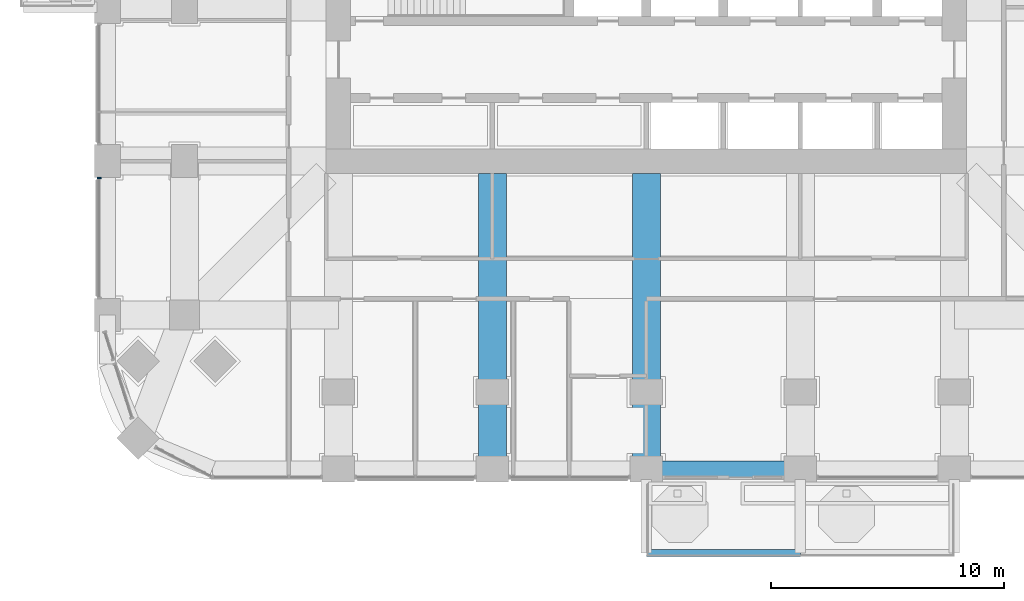
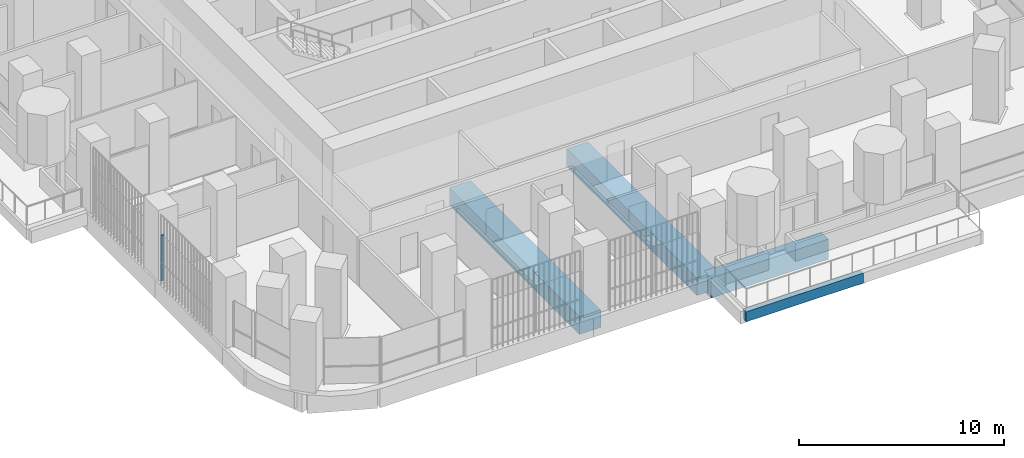
# One storey, part 3 of 22: 4 beams, 1 member, 1 element without a shape of its own.
"""IFC4 building model written with IfcOpenShell, lengths in metres."""

from ifc_helpers import new_model, si_unit, direction, frame, origin, origin_2d, place, context, subcontext, project, spatial, rectangle, extrude, material, material_profile, profile_set, type_object, element, aggregate, save


model = new_model("IFC4")

# Units and contexts
model_context = context("Model", 3, precision=1e-05, world=origin(), true_north=direction((0.0, 1.0)))
body_context = subcontext(model_context, "Body", "Model", "MODEL_VIEW")
ifc_project = project(units=[si_unit("LENGTHUNIT", "METRE"), si_unit("AREAUNIT", "SQUARE_METRE"), si_unit("VOLUMEUNIT", "CUBIC_METRE"), si_unit("PLANEANGLEUNIT", "RADIAN"), si_unit("MASSUNIT", "GRAM", prefix="KILO")], contexts=[model_context])

# Site, building, storey
site_placement = place(None, origin())
site = spatial("IfcSite", under=ifc_project, at=site_placement, CompositionType="ELEMENT")
building_placement = place(site_placement, origin())
building = spatial("IfcBuilding", under=site, at=building_placement, Name="Cobogo Forest Laboratory Tower", CompositionType="ELEMENT")
storey_placement = place(building_placement, frame((0.0, 0.0, 111.60009765625)))
storey = spatial("IfcBuildingStorey", under=building, at=storey_placement, Name="L25", CompositionType="ELEMENT", Elevation=111.60009765625)

# Beams
ifc_material_1 = material(Name="Concrete HA-40 (C40/50)", Category="concrete")
ifc_material_profile_1 = material_profile(ifc_material_1, rectangle(XDim=0.300048828125, YDim=0.60009765625, at=origin_2d()), Name="RC 300x600")
ifc_profile_set_1 = profile_set([ifc_material_profile_1], Name="Concrete HA-40 (C40/50)")
beam_type_1 = type_object("IfcBeamType", Name="Balcony edge beam 300x600", PredefinedType="BEAM", material=ifc_profile_set_1)
beam_1_placement = place(storey_placement, frame((26.39990234375, -3.60009765625, -0.550048828125), z_axis=(1.0, 0.0, 0.0), x_axis=(0.0, 1.0, 0.0)))
element("IfcBeam", 1, at=beam_1_placement, inside=storey, type_object=beam_type_1, Name="BB1 BAL-S1-T1 L25", PredefinedType="BEAM", context=body_context, shape_type="SweptSolid", body=[
    extrude(rectangle(XDim=0.300048828125, YDim=0.60009765625, at=origin_2d()), origin(), (0.0, 0.0, 1.0), 6.60009765625),
])
ifc_material_profile_2 = material_profile(ifc_material_1, rectangle(XDim=1.199951171875, YDim=1.050048828125, at=origin_2d()), Name="RC 1200x1050")
ifc_profile_set_2 = profile_set([ifc_material_profile_2], Name="Concrete HA-40 (C40/50)")
beam_type_2 = type_object("IfcBeamType", Name="Laboratory floor wide beam 1200x1050", PredefinedType="BEAM", material=ifc_profile_set_2)
for number, where, z_axis, x_axis, name in (
    (2, (19.800048828125, 12.675048828125, -0.8251953125), (0.0, -1.0, 0.0), (1.0, 0.0, 0.0), "RB1 R-4-S L25"),
    (3, (26.39990234375, 12.675048828125, -0.8251953125), (0.0, -1.0, 0.0), (1.0, 0.0, 0.0), "RB1 R-5-S L25"),
):
    element("IfcBeam", number, at=place(storey_placement, frame(where, z_axis=z_axis, x_axis=x_axis)), inside=storey, type_object=beam_type_2, Name=name, PredefinedType="BEAM", context=body_context, shape_type="SweptSolid", body=[
        extrude(rectangle(XDim=1.199951171875, YDim=1.050048828125, at=origin_2d()), origin(), (0.0, 0.0, 1.0), 12.675048828125),
    ])

# Curtain wall, member
ifc_material_2 = material(Name="Aluminium curtain wall", Category="aluminium")
curtain_wall_type = type_object("IfcCurtainWallType", Name="CW-1 unitised curtain wall, clear glazing, laboratory floors zones A and B", PredefinedType="USERDEFINED", material=ifc_material_2)
curtain_wall_placement = place(storey_placement, origin())
curtain_wall = element("IfcCurtainWall", 4, at=curtain_wall_placement, inside=storey, type_object=curtain_wall_type, Name="Curtain wall 31 L25", ObjectType="UNITISED CURTAIN WALL", PredefinedType="USERDEFINED")
ifc_material_3 = material(Name="Aluminium mullion", Category="aluminium")
ifc_material_profile_3 = material_profile(ifc_material_3, rectangle(XDim=0.06005859375, YDim=0.159912109375, at=origin_2d()), Name="AL 60x160")
ifc_profile_set_3 = profile_set([ifc_material_profile_3], Name="Aluminium mullion")
member_type = type_object("IfcMemberType", Name="MU-1 aluminium mullion 60x160", PredefinedType="MULLION", material=ifc_profile_set_3)
member_placement = place(storey_placement, frame((2.949951171875, 12.469970703125, 0.0), z_axis=(0.0, 0.0, 1.0), x_axis=(0.0, -1.0, 0.0)))
member = element("IfcMember", 5, at=member_placement, type_object=member_type, Name="CW-1 mullion 1", PredefinedType="MULLION", context=body_context, shape_type="SweptSolid", body=[
    extrude(rectangle(XDim=0.06005859375, YDim=0.159912109375, at=origin_2d()), origin(), (0.0, 0.0, 1.0), 2.699951171875),
])
aggregate(curtain_wall, [member])

# Beam
ifc_material_profile_4 = material_profile(ifc_material_1, rectangle(XDim=0.699951171875, YDim=1.199951171875, at=origin_2d()), Name="RC 700x1200")
ifc_profile_set_4 = profile_set([ifc_material_profile_4], Name="Concrete HA-40 (C40/50)")
beam_type_3 = type_object("IfcBeamType", Name="Perimeter edge beam 700x1200", PredefinedType="BEAM", material=ifc_profile_set_4)
beam_2_placement = place(storey_placement, frame((26.39990234375, 0.0, -0.900146484375), z_axis=(1.0, 0.0, 0.0), x_axis=(0.0, 1.0, 0.0)))
element("IfcBeam", 6, at=beam_2_placement, inside=storey, type_object=beam_type_3, Name="EB1 E-S3 L25", PredefinedType="BEAM", context=body_context, shape_type="SweptSolid", body=[
    extrude(rectangle(XDim=0.699951171875, YDim=1.199951171875, at=origin_2d()), origin(), (0.0, 0.0, 1.0), 6.60009765625),
])

save(model, "model.ifc")
